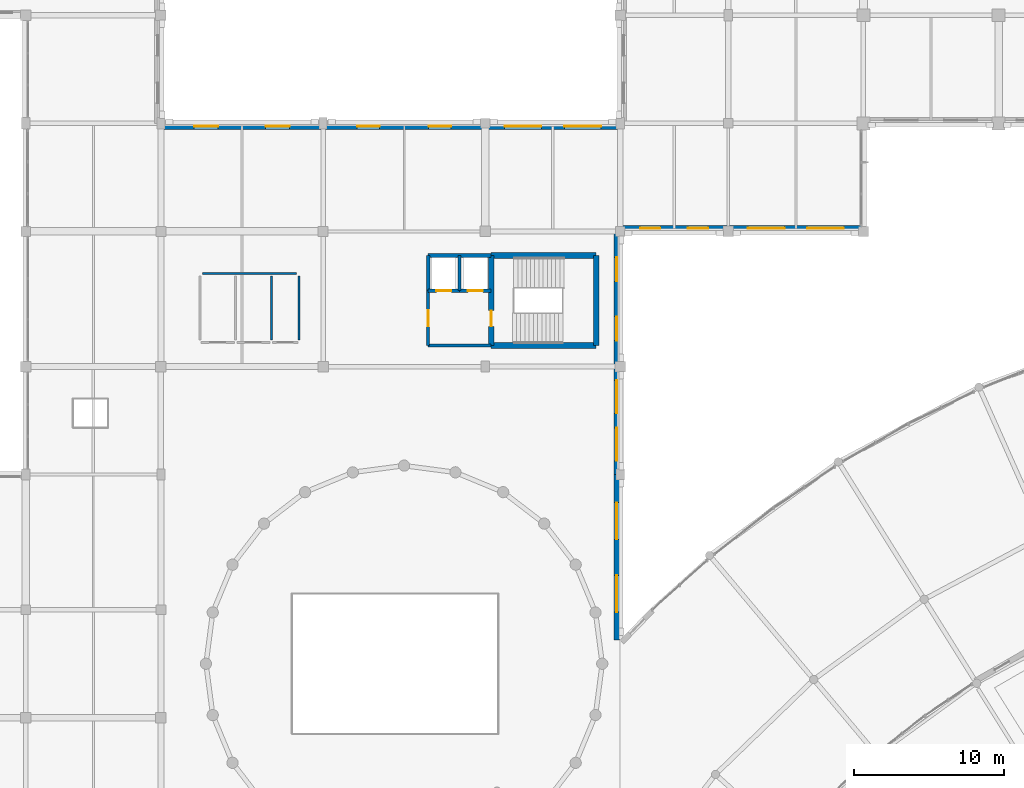
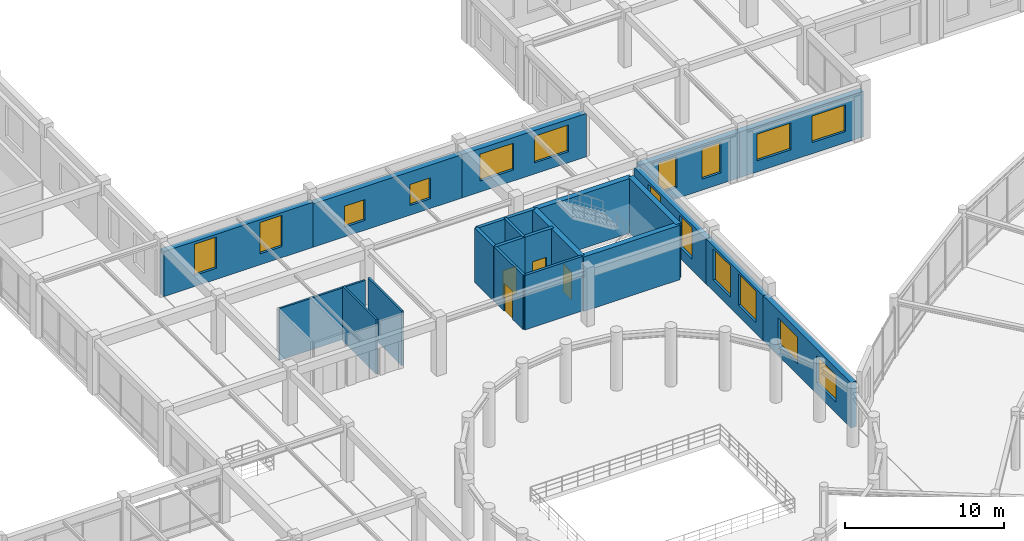
# One storey, part 44 of 62: 22 walls, 16 windows, 4 doors, 20 openings.
"""IFC4 building model written with IfcOpenShell, lengths in metres."""

import ifcopenshell
import ifcopenshell.guid

model = None  # the IFC model being written
_history = None  # IfcOwnerHistory: only IFC2X3 demands one
_inside = {}  # id of a spatial element -> (the spatial element, [elements in it])
_under = {}  # id of a project, library or spatial element -> (it, [spatial elements below it])
_declared = {}  # id of a project -> (the project, [libraries it declares])
_typed = {}  # id of a type object -> (the type object, [elements of that type])
_made_of = {}  # id of a material, layer set ... -> (it, [elements and type objects made of it])


def new_model(schema):
    """Start an empty IFC model of exactly this schema.

    Asked for "IFC4X3", IfcOpenShell would pick the latest addendum, in which some entities
    have other attributes; the version numbers below select the first issue.
    IFC2X3 requires an IfcOwnerHistory on every rooted entity: one is made here for all.
    """
    global model, _history
    if schema == "IFC4X3":
        model = ifcopenshell.file(schema_version=(4, 3, 0, 0))
    else:
        model = ifcopenshell.file(schema=schema)
    _inside.clear()
    _under.clear()
    _declared.clear()
    _typed.clear()
    _made_of.clear()
    _history = None
    if model.schema == "IFC2X3":
        org = make("IfcOrganization", Name="unknown")
        user = make(
            "IfcPersonAndOrganization",
            ThePerson=make("IfcPerson", FamilyName="unknown"),
            TheOrganization=org,
        )
        app = make(
            "IfcApplication",
            ApplicationDeveloper=org,
            Version="unknown",
            ApplicationFullName="unknown",
            ApplicationIdentifier="unknown",
        )
        _history = make(
            "IfcOwnerHistory",
            OwningUser=user,
            OwningApplication=app,
            ChangeAction="ADDED",
            CreationDate=0,
        )
    return model


def make(cls, **values):
    """One entity of the class cls with the attributes given. An attribute that is None is left unset."""
    return model.create_entity(
        cls, **{name: value for name, value in values.items() if value is not None}
    )


def rooted(cls, **values):
    """An entity with a GlobalId (a new one), such as an element, a storey or a relation."""
    return make(cls, GlobalId=ifcopenshell.guid.new(), OwnerHistory=_history, **values)


def si_unit(unit_type, name, prefix=None):
    """IfcSIUnit, for example si_unit("LENGTHUNIT", "METRE", prefix="MILLI")."""
    return make("IfcSIUnit", UnitType=unit_type, Prefix=prefix, Name=name)


def assignment(units):
    """IfcUnitAssignment: the units of a project."""
    return None if units is None else make("IfcUnitAssignment", Units=units)


def point(xyz):
    """IfcCartesianPoint."""
    return None if xyz is None else make("IfcCartesianPoint", Coordinates=xyz)


def direction(xyz):
    """IfcDirection."""
    return None if xyz is None else make("IfcDirection", DirectionRatios=xyz)


def frame(location, z_axis=None, x_axis=None):
    """IfcAxis2Placement3D, a coordinate frame: its origin and axes. An axis left out is left unset."""
    return make(
        "IfcAxis2Placement3D",
        Location=point(location),
        Axis=direction(z_axis),
        RefDirection=direction(x_axis),
    )


def frame_2d(location, x_axis=None):
    """IfcAxis2Placement2D, a coordinate frame in the plane: its origin and x axis."""
    return make(
        "IfcAxis2Placement2D", Location=point(location), RefDirection=direction(x_axis)
    )


def origin():
    """The frame at (0, 0, 0) with its axes left unset."""
    return frame((0.0, 0.0, 0.0))


def place(relative_to, where):
    """IfcLocalPlacement: puts the frame where relative to a parent placement (None: the world)."""
    return make(
        "IfcLocalPlacement", PlacementRelTo=relative_to, RelativePlacement=where
    )


def context(
    kind, dimensions, precision=None, world=None, true_north=None, identifier=None
):
    """IfcGeometricRepresentationContext, for example the 3D "Model" context."""
    return make(
        "IfcGeometricRepresentationContext",
        ContextIdentifier=identifier,
        ContextType=kind,
        CoordinateSpaceDimension=dimensions,
        Precision=precision,
        WorldCoordinateSystem=world,
        TrueNorth=true_north,
    )


def subcontext(parent, identifier, kind, view, scale=None):
    """IfcGeometricRepresentationSubContext, for example "Body" below "Model"."""
    return make(
        "IfcGeometricRepresentationSubContext",
        ContextIdentifier=identifier,
        ContextType=kind,
        ParentContext=parent,
        TargetScale=scale,
        TargetView=view,
    )


def project(units=None, contexts=None):
    """IfcProject with its units and contexts."""
    return rooted(
        "IfcProject",
        Name="project",
        RepresentationContexts=contexts,
        UnitsInContext=assignment(units),
    )


def spatial(cls, under=None, at=None, **own):
    """A site, building, storey or space (cls), placed at a placement, below another one or the project."""
    s = rooted(cls, ObjectPlacement=at, **own)
    if under is not None:
        _under.setdefault(under.id(), (under, []))[1].append(s)
    return s


def profile(cls, at=None, kind="AREA", **sizes):
    """A parametric profile (cls). Its sizes go by their IFC names, for example OverallWidth=200.0."""
    return make(cls, ProfileType=kind, Position=at, **sizes)


def rectangle(**sizes):
    """IfcRectangleProfileDef."""
    return profile("IfcRectangleProfileDef", **sizes)


def extrude(swept, where, along, depth):
    """IfcExtrudedAreaSolid: the profile swept, set in the frame where, extruded along a direction by depth."""
    return make(
        "IfcExtrudedAreaSolid",
        SweptArea=swept,
        Position=where,
        ExtrudedDirection=direction(along),
        Depth=depth,
    )


def shape(context_of_items, identifier, shape_type, items):
    """IfcShapeRepresentation: the items that make up one representation, for example the "Body"."""
    return make(
        "IfcShapeRepresentation",
        ContextOfItems=context_of_items,
        RepresentationIdentifier=identifier,
        RepresentationType=shape_type,
        Items=items,
    )


def material(Name=None, Category=None):
    """IfcMaterial."""
    return make("IfcMaterial", Name=Name, Category=Category)


def layer(
    of_material, thickness, ventilated=None, Name=None, Category=None, Priority=None
):
    """IfcMaterialLayer: one layer of a wall or slab, of a material (None: an air gap)."""
    return make(
        "IfcMaterialLayer",
        Material=of_material,
        LayerThickness=thickness,
        IsVentilated=ventilated,
        Name=Name,
        Category=Category,
        Priority=Priority,
    )


def layer_set(layers, Name=None):
    """IfcMaterialLayerSet."""
    return make("IfcMaterialLayerSet", MaterialLayers=layers, LayerSetName=Name)


def made_of(thing, what):
    """Note that an element or type object is made of a material, layer set ...; save() writes the relation."""
    if what is not None:
        _made_of.setdefault(what.id(), (what, []))[1].append(thing)
    return thing


def type_object(cls, material=None, **own):
    """A type object (cls), such as IfcWallType, which elements share."""
    return made_of(rooted(cls, **own), material)


def element(
    cls,
    number,
    at=None,
    inside=None,
    cuts=None,
    type_object=None,
    material=None,
    context=None,
    identifier="Body",
    shape_type=None,
    held_by="IfcProductDefinitionShape",
    body=None,
    shapes=None,
    **own,
):
    """One element of the class cls, such as IfcWall. Its Tag is "e" and its number.

    at: its placement. inside: the storey or other place that contains it. cuts: it is an
    opening in that element (IfcRelVoidsElement). A single representation is given by context,
    identifier, shape_type and body (its items); several are given by shapes. held_by: the class
    of the entity that holds the representations. save() writes the other relations.
    """
    e = rooted(cls, Tag="e%d" % number, ObjectPlacement=at, **own)
    if body is not None:
        shapes = [shape(context, identifier, shape_type, body)]
    if shapes is not None:
        e.Representation = make(held_by, Representations=shapes)
    if inside is not None:
        _inside.setdefault(inside.id(), (inside, []))[1].append(e)
    if cuts is not None:
        rooted(
            "IfcRelVoidsElement", RelatingBuildingElement=cuts, RelatedOpeningElement=e
        )
    if type_object is not None:
        _typed.setdefault(type_object.id(), (type_object, []))[1].append(e)
    return made_of(e, material)


def fill(opening, filler):
    """IfcRelFillsElement: the door or window that sits in an opening."""
    return rooted(
        "IfcRelFillsElement",
        RelatingOpeningElement=opening,
        RelatedBuildingElement=filler,
    )


def aggregate(whole, parts):
    """IfcRelAggregates: a whole, such as a stair, and the parts it consists of."""
    return rooted("IfcRelAggregates", RelatingObject=whole, RelatedObjects=parts)


def save(model, path):
    """Write the relations noted so far, then the file.

    IfcRelAggregates (storeys below a building ...), IfcRelContainedInSpatialStructure (elements
    in a storey), IfcRelDefinesByType, IfcRelAssociatesMaterial and IfcRelDeclares: one each for
    every whole, place, type object, material and project.
    """
    for whole, parts in _under.values():
        aggregate(whole, parts)
    for where, things in _inside.values():
        rooted(
            "IfcRelContainedInSpatialStructure",
            RelatedElements=things,
            RelatingStructure=where,
        )
    for kind, things in _typed.values():
        rooted("IfcRelDefinesByType", RelatedObjects=things, RelatingType=kind)
    for what, things in _made_of.values():
        rooted("IfcRelAssociatesMaterial", RelatedObjects=things, RelatingMaterial=what)
    for by, libraries in _declared.values():
        rooted("IfcRelDeclares", RelatingContext=by, RelatedDefinitions=libraries)
    model.write(path)


model = new_model("IFC4")

# Units and contexts
model_context = context("Model", 3, precision=1e-05, world=origin(), true_north=direction((0.0, 1.0)))
body_context = subcontext(model_context, "Body", "Model", "MODEL_VIEW")
ifc_project = project(units=[si_unit("LENGTHUNIT", "METRE"), si_unit("AREAUNIT", "SQUARE_METRE"), si_unit("VOLUMEUNIT", "CUBIC_METRE"), si_unit("PLANEANGLEUNIT", "RADIAN"), si_unit("MASSUNIT", "GRAM", prefix="KILO")], contexts=[model_context])

# Site, building, storey
site_placement = place(None, origin())
site = spatial("IfcSite", under=ifc_project, at=site_placement, CompositionType="ELEMENT")
building_placement = place(site_placement, origin())
building = spatial("IfcBuilding", under=site, at=building_placement, Name="Clarverna Civic Hall", CompositionType="ELEMENT")
storey_placement = place(building_placement, frame((0.0, 0.0, 5.10009765625)))
storey = spatial("IfcBuildingStorey", under=building, at=storey_placement, Name="L01", CompositionType="ELEMENT", Elevation=5.10009765625)

# Wall, openings, windows
ifc_material_1 = material(Name="Montjuic Limestone Ashlar Cladding", Category="masonry")
ifc_layer_1 = layer(ifc_material_1, 0.39990234375)
ifc_layer_set_1 = layer_set([ifc_layer_1], Name="Montjuic Limestone Ashlar Cladding")
wall_type_1 = type_object("IfcWallType", Name="EW-02", PredefinedType="SOLIDWALL", material=ifc_layer_set_1)
wall_1_placement = place(storey_placement, frame((66.574951171875, 94.800048828125, 0.0), z_axis=(0.0, 0.0, 1.0), x_axis=(1.0, 0.0, 0.0)))
wall_1 = element("IfcWall", 1, at=wall_1_placement, inside=storey, type_object=wall_type_1, Name="EW-02-027", PredefinedType="SOLIDWALL", context=body_context, shape_type="SweptSolid", body=[
    extrude(rectangle(XDim=10.824951171875, YDim=0.39990234375, at=frame_2d((5.41259765625, 0.0))), origin(), (0.0, 0.0, 1.0), 3.4599609375),
])
opening_1_placement = place(wall_1_placement, frame((2.23095703125, 0.0, 0.85009765625)))
opening_1 = element("IfcOpeningElement", 2, at=opening_1_placement, cuts=wall_1, Name="Opening WN-03", PredefinedType="OPENING", context=body_context, shape_type="SweptSolid", body=[
    extrude(rectangle(XDim=1.60009765625, YDim=2.39990234375, at=frame_2d((0.800048828125, 1.199951171875))), frame((0.0, 0.2099609375, 0.0), z_axis=(0.0, -1.0, 0.0), x_axis=(1.0, 0.0, 0.0)), (0.0, 0.0, 1.0), 0.419921875),
])
opening_2_placement = place(wall_1_placement, frame((6.993896484375, 0.0, 0.85009765625)))
opening_2 = element("IfcOpeningElement", 3, at=opening_2_placement, cuts=wall_1, Name="Opening WN-03", PredefinedType="OPENING", context=body_context, shape_type="SweptSolid", body=[
    extrude(rectangle(XDim=1.60009765625, YDim=2.39990234375, at=frame_2d((0.800048828125, 1.199951171875))), frame((0.0, 0.2099609375, 0.0), z_axis=(0.0, -1.0, 0.0), x_axis=(1.0, 0.0, 0.0)), (0.0, 0.0, 1.0), 0.419921875),
])
ifc_material_2 = material(Name="Solar-Control Argon Low-E Double Glazing", Category="glass")
window_type_1 = type_object("IfcWindowType", Name="WN-03", PartitioningType="DOUBLE_PANEL_VERTICAL", PredefinedType="WINDOW", material=ifc_material_2)
window_1_placement = place(opening_1_placement, origin())
window_1 = element("IfcWindow", 4, at=window_1_placement, inside=storey, type_object=window_type_1, Name="WN-03-008", OverallHeight=2.39990234375, OverallWidth=1.60009765625, PartitioningType="DOUBLE_PANEL_VERTICAL", PredefinedType="WINDOW", context=body_context, shape_type="SweptSolid", body=[
    extrude(rectangle(XDim=1.60009765625, YDim=2.39990234375, at=frame_2d((0.800048828125, 1.199951171875))), frame((0.0, 0.030029296875, 0.0), z_axis=(0.0, -1.0, 0.0), x_axis=(1.0, 0.0, 0.0)), (0.0, 0.0, 1.0), 0.06005859375),
])
fill(opening_1, window_1)
window_2_placement = place(opening_2_placement, origin())
window_2 = element("IfcWindow", 5, at=window_2_placement, inside=storey, type_object=window_type_1, Name="WN-03-009", OverallHeight=2.39990234375, OverallWidth=1.60009765625, PartitioningType="DOUBLE_PANEL_VERTICAL", PredefinedType="WINDOW", context=body_context, shape_type="SweptSolid", body=[
    extrude(rectangle(XDim=1.60009765625, YDim=2.39990234375, at=frame_2d((0.800048828125, 1.199951171875))), frame((0.0, 0.030029296875, 0.0), z_axis=(0.0, -1.0, 0.0), x_axis=(1.0, 0.0, 0.0)), (0.0, 0.0, 1.0), 0.06005859375),
])
fill(opening_2, window_2)

wall_2_placement = place(storey_placement, frame((77.39990234375, 94.800048828125, 0.0), z_axis=(0.0, 0.0, 1.0), x_axis=(1.0, 0.0, 0.0)))
wall_2 = element("IfcWall", 6, at=wall_2_placement, inside=storey, type_object=wall_type_1, Name="EW-02-028", PredefinedType="SOLIDWALL", context=body_context, shape_type="SweptSolid", body=[
    extrude(rectangle(XDim=10.800048828125, YDim=0.39990234375, at=frame_2d((5.39990234375, 0.0))), origin(), (0.0, 0.0, 1.0), 3.329833984375),
])
opening_3_placement = place(wall_2_placement, frame((2.27392578125, 0.0, 0.75)))
opening_3 = element("IfcOpeningElement", 7, at=opening_3_placement, cuts=wall_2, Name="Opening WN-14", PredefinedType="OPENING", context=body_context, shape_type="SweptSolid", body=[
    extrude(rectangle(XDim=1.5, YDim=1.60009765625, at=frame_2d((0.75, 0.800048828125))), frame((0.0, 0.2099609375, 0.0), z_axis=(0.0, -1.0, 0.0), x_axis=(1.0, 0.0, 0.0)), (0.0, 0.0, 1.0), 0.419921875),
])
opening_4_placement = place(wall_2_placement, frame((7.02587890625, 0.0, 0.75)))
opening_4 = element("IfcOpeningElement", 8, at=opening_4_placement, cuts=wall_2, Name="Opening WN-14", PredefinedType="OPENING", context=body_context, shape_type="SweptSolid", body=[
    extrude(rectangle(XDim=1.5, YDim=1.60009765625, at=frame_2d((0.75, 0.800048828125))), frame((0.0, 0.2099609375, 0.0), z_axis=(0.0, -1.0, 0.0), x_axis=(1.0, 0.0, 0.0)), (0.0, 0.0, 1.0), 0.419921875),
])
window_type_2 = type_object("IfcWindowType", Name="WN-14", PartitioningType="DOUBLE_PANEL_HORIZONTAL", PredefinedType="WINDOW", material=ifc_material_2)
window_3_placement = place(opening_3_placement, origin())
window_3 = element("IfcWindow", 9, at=window_3_placement, inside=storey, type_object=window_type_2, Name="WN-14-008", OverallHeight=1.60009765625, OverallWidth=1.5, PartitioningType="DOUBLE_PANEL_HORIZONTAL", PredefinedType="WINDOW", context=body_context, shape_type="SweptSolid", body=[
    extrude(rectangle(XDim=1.5, YDim=1.60009765625, at=frame_2d((0.75, 0.800048828125))), frame((0.0, 0.030029296875, 0.0), z_axis=(0.0, -1.0, 0.0), x_axis=(1.0, 0.0, 0.0)), (0.0, 0.0, 1.0), 0.06005859375),
])
fill(opening_3, window_3)
window_4_placement = place(opening_4_placement, origin())
window_4 = element("IfcWindow", 10, at=window_4_placement, inside=storey, type_object=window_type_2, Name="WN-14-009", OverallHeight=1.60009765625, OverallWidth=1.5, PartitioningType="DOUBLE_PANEL_HORIZONTAL", PredefinedType="WINDOW", context=body_context, shape_type="SweptSolid", body=[
    extrude(rectangle(XDim=1.5, YDim=1.60009765625, at=frame_2d((0.75, 0.800048828125))), frame((0.0, 0.030029296875, 0.0), z_axis=(0.0, -1.0, 0.0), x_axis=(1.0, 0.0, 0.0)), (0.0, 0.0, 1.0), 0.06005859375),
])
fill(opening_4, window_4)

wall_3_placement = place(storey_placement, frame((88.199951171875, 94.800048828125, 0.0), z_axis=(0.0, 0.0, 1.0), x_axis=(1.0, 0.0, 0.0)))
wall_3 = element("IfcWall", 11, at=wall_3_placement, inside=storey, type_object=wall_type_1, Name="EW-02-029", PredefinedType="SOLIDWALL", context=body_context, shape_type="SweptSolid", body=[
    extrude(rectangle(XDim=9.025146484375, YDim=0.39990234375, at=frame_2d((4.5126953125, 0.0))), origin(), (0.0, 0.0, 1.0), 3.329833984375),
])
opening_5_placement = place(wall_3_placement, frame((1.302001953125, 0.0, 0.85009765625)))
opening_5 = element("IfcOpeningElement", 12, at=opening_5_placement, cuts=wall_3, Name="Opening WN-24", PredefinedType="OPENING", context=body_context, shape_type="SweptSolid", body=[
    extrude(rectangle(XDim=2.449951171875, YDim=2.050048828125, at=frame_2d((1.22509765625, 1.02490234375))), frame((0.0, 0.2099609375, 0.0), z_axis=(0.0, -1.0, 0.0), x_axis=(1.0, 0.0, 0.0)), (0.0, 0.0, 1.0), 0.419921875),
])
opening_6_placement = place(wall_3_placement, frame((5.27294921875, 0.0, 0.85009765625)))
opening_6 = element("IfcOpeningElement", 13, at=opening_6_placement, cuts=wall_3, Name="Opening WN-24", PredefinedType="OPENING", context=body_context, shape_type="SweptSolid", body=[
    extrude(rectangle(XDim=2.449951171875, YDim=2.050048828125, at=frame_2d((1.22509765625, 1.02490234375))), frame((0.0, 0.2099609375, 0.0), z_axis=(0.0, -1.0, 0.0), x_axis=(1.0, 0.0, 0.0)), (0.0, 0.0, 1.0), 0.419921875),
])
window_type_3 = type_object("IfcWindowType", Name="WN-24", PartitioningType="TRIPLE_PANEL_VERTICAL", PredefinedType="WINDOW", material=ifc_material_2)
window_5_placement = place(opening_5_placement, origin())
window_5 = element("IfcWindow", 14, at=window_5_placement, inside=storey, type_object=window_type_3, Name="WN-24-012", OverallHeight=2.050048828125, OverallWidth=2.449951171875, PartitioningType="TRIPLE_PANEL_VERTICAL", PredefinedType="WINDOW", context=body_context, shape_type="SweptSolid", body=[
    extrude(rectangle(XDim=2.449951171875, YDim=2.050048828125, at=frame_2d((1.22509765625, 1.02490234375))), frame((0.0, 0.030029296875, 0.0), z_axis=(0.0, -1.0, 0.0), x_axis=(1.0, 0.0, 0.0)), (0.0, 0.0, 1.0), 0.06005859375),
])
fill(opening_5, window_5)
window_6_placement = place(opening_6_placement, origin())
window_6 = element("IfcWindow", 15, at=window_6_placement, inside=storey, type_object=window_type_3, Name="WN-24-013", OverallHeight=2.050048828125, OverallWidth=2.449951171875, PartitioningType="TRIPLE_PANEL_VERTICAL", PredefinedType="WINDOW", context=body_context, shape_type="SweptSolid", body=[
    extrude(rectangle(XDim=2.449951171875, YDim=2.050048828125, at=frame_2d((1.22509765625, 1.02490234375))), frame((0.0, 0.030029296875, 0.0), z_axis=(0.0, -1.0, 0.0), x_axis=(1.0, 0.0, 0.0)), (0.0, 0.0, 1.0), 0.06005859375),
])
fill(opening_6, window_6)

wall_4_placement = place(storey_placement, frame((113.39990234375, 88.0, 0.0), z_axis=(0.0, 0.0, 1.0), x_axis=(-1.0, 0.0, 0.0)))
wall_4 = element("IfcWall", 16, at=wall_4_placement, inside=storey, type_object=wall_type_1, Name="EW-02-049", PredefinedType="SOLIDWALL", context=body_context, shape_type="SweptSolid", body=[
    extrude(rectangle(XDim=9.0, YDim=0.39990234375, at=frame_2d((4.5, 0.0))), origin(), (0.0, 0.0, 1.0), 3.5),
])
opening_7_placement = place(wall_4_placement, frame((1.294921875, 0.0, 0.85009765625)))
opening_7 = element("IfcOpeningElement", 17, at=opening_7_placement, cuts=wall_4, Name="Opening WN-24", PredefinedType="OPENING", context=body_context, shape_type="SweptSolid", body=[
    extrude(rectangle(XDim=2.449951171875, YDim=2.050048828125, at=frame_2d((1.22509765625, 1.02490234375))), frame((0.0, 0.2099609375, 0.0), z_axis=(0.0, -1.0, 0.0), x_axis=(1.0, 0.0, 0.0)), (0.0, 0.0, 1.0), 0.419921875),
])
opening_8_placement = place(wall_4_placement, frame((5.2548828125, 0.0, 0.85009765625)))
opening_8 = element("IfcOpeningElement", 18, at=opening_8_placement, cuts=wall_4, Name="Opening WN-24", PredefinedType="OPENING", context=body_context, shape_type="SweptSolid", body=[
    extrude(rectangle(XDim=2.449951171875, YDim=2.050048828125, at=frame_2d((1.22509765625, 1.02490234375))), frame((0.0, 0.2099609375, 0.0), z_axis=(0.0, -1.0, 0.0), x_axis=(1.0, 0.0, 0.0)), (0.0, 0.0, 1.0), 0.419921875),
])
window_7_placement = place(opening_7_placement, origin())
window_7 = element("IfcWindow", 19, at=window_7_placement, inside=storey, type_object=window_type_3, Name="WN-24-019", OverallHeight=2.050048828125, OverallWidth=2.449951171875, PartitioningType="TRIPLE_PANEL_VERTICAL", PredefinedType="WINDOW", context=body_context, shape_type="SweptSolid", body=[
    extrude(rectangle(XDim=2.449951171875, YDim=2.050048828125, at=frame_2d((1.22509765625, 1.02490234375))), frame((0.0, 0.030029296875, 0.0), z_axis=(0.0, -1.0, 0.0), x_axis=(1.0, 0.0, 0.0)), (0.0, 0.0, 1.0), 0.06005859375),
])
fill(opening_7, window_7)
window_8_placement = place(opening_8_placement, origin())
window_8 = element("IfcWindow", 20, at=window_8_placement, inside=storey, type_object=window_type_3, Name="WN-24-020", OverallHeight=2.050048828125, OverallWidth=2.449951171875, PartitioningType="TRIPLE_PANEL_VERTICAL", PredefinedType="WINDOW", context=body_context, shape_type="SweptSolid", body=[
    extrude(rectangle(XDim=2.449951171875, YDim=2.050048828125, at=frame_2d((1.22509765625, 1.02490234375))), frame((0.0, 0.030029296875, 0.0), z_axis=(0.0, -1.0, 0.0), x_axis=(1.0, 0.0, 0.0)), (0.0, 0.0, 1.0), 0.06005859375),
])
fill(opening_8, window_8)

wall_5_placement = place(storey_placement, frame((104.39990234375, 88.0, 0.0), z_axis=(0.0, 0.0, 1.0), x_axis=(-1.0, 0.0, 0.0)))
wall_5 = element("IfcWall", 21, at=wall_5_placement, inside=storey, type_object=wall_type_1, Name="EW-02-050", PredefinedType="SOLIDWALL", context=body_context, shape_type="SweptSolid", body=[
    extrude(rectangle(XDim=7.224853515625, YDim=0.39990234375, at=frame_2d((3.6123046875, 0.0))), origin(), (0.0, 0.0, 1.0), 3.5),
])
opening_9_placement = place(wall_5_placement, frame((1.347900390625, 0.0, 0.85009765625)))
opening_9 = element("IfcOpeningElement", 22, at=opening_9_placement, cuts=wall_5, Name="Opening WN-29", PredefinedType="OPENING", context=body_context, shape_type="SweptSolid", body=[
    extrude(rectangle(XDim=1.35009765625, YDim=2.35009765625, at=frame_2d((0.675048828125, 1.175048828125))), frame((0.0, 0.2099609375, 0.0), z_axis=(0.0, -1.0, 0.0), x_axis=(1.0, 0.0, 0.0)), (0.0, 0.0, 1.0), 0.419921875),
])
opening_10_placement = place(wall_5_placement, frame((4.527099609375, 0.0, 0.85009765625)))
opening_10 = element("IfcOpeningElement", 23, at=opening_10_placement, cuts=wall_5, Name="Opening WN-29", PredefinedType="OPENING", context=body_context, shape_type="SweptSolid", body=[
    extrude(rectangle(XDim=1.35009765625, YDim=2.35009765625, at=frame_2d((0.675048828125, 1.175048828125))), frame((0.0, 0.2099609375, 0.0), z_axis=(0.0, -1.0, 0.0), x_axis=(1.0, 0.0, 0.0)), (0.0, 0.0, 1.0), 0.419921875),
])
window_type_4 = type_object("IfcWindowType", Name="WN-29", PartitioningType="SINGLE_PANEL", PredefinedType="WINDOW", material=ifc_material_2)
window_9_placement = place(opening_9_placement, origin())
window_9 = element("IfcWindow", 24, at=window_9_placement, inside=storey, type_object=window_type_4, Name="WN-29-021", OverallHeight=2.35009765625, OverallWidth=1.35009765625, PartitioningType="SINGLE_PANEL", PredefinedType="WINDOW", context=body_context, shape_type="SweptSolid", body=[
    extrude(rectangle(XDim=1.35009765625, YDim=2.35009765625, at=frame_2d((0.675048828125, 1.175048828125))), frame((0.0, 0.030029296875, 0.0), z_axis=(0.0, -1.0, 0.0), x_axis=(1.0, 0.0, 0.0)), (0.0, 0.0, 1.0), 0.06005859375),
])
fill(opening_9, window_9)
window_10_placement = place(opening_10_placement, origin())
window_10 = element("IfcWindow", 25, at=window_10_placement, inside=storey, type_object=window_type_4, Name="WN-29-022", OverallHeight=2.35009765625, OverallWidth=1.35009765625, PartitioningType="SINGLE_PANEL", PredefinedType="WINDOW", context=body_context, shape_type="SweptSolid", body=[
    extrude(rectangle(XDim=1.35009765625, YDim=2.35009765625, at=frame_2d((0.675048828125, 1.175048828125))), frame((0.0, 0.030029296875, 0.0), z_axis=(0.0, -1.0, 0.0), x_axis=(1.0, 0.0, 0.0)), (0.0, 0.0, 1.0), 0.06005859375),
])
fill(opening_10, window_10)

wall_6_placement = place(storey_placement, frame((96.97509765625, 87.800048828125, 0.0), z_axis=(0.0, 0.0, 1.0), x_axis=(0.0, -1.0, 0.0)))
wall_6 = element("IfcWall", 26, at=wall_6_placement, inside=storey, type_object=wall_type_1, Name="EW-02-051", PredefinedType="SOLIDWALL", context=body_context, shape_type="SweptSolid", body=[
    extrude(rectangle(XDim=9.0, YDim=0.39990234375, at=frame_2d((4.5, 0.0))), origin(), (0.0, 0.0, 1.0), 3.4599609375),
])
opening_11_placement = place(wall_6_placement, frame((1.719970703125, 0.0, 0.85009765625)))
opening_11 = element("IfcOpeningElement", 27, at=opening_11_placement, cuts=wall_6, Name="Opening WN-03", PredefinedType="OPENING", context=body_context, shape_type="SweptSolid", body=[
    extrude(rectangle(XDim=1.60009765625, YDim=2.39990234375, at=frame_2d((0.800048828125, 1.199951171875))), frame((0.0, 0.2099609375, 0.0), z_axis=(0.0, -1.0, 0.0), x_axis=(1.0, 0.0, 0.0)), (0.0, 0.0, 1.0), 0.419921875),
])
opening_12_placement = place(wall_6_placement, frame((5.679931640625, 0.0, 0.85009765625)))
opening_12 = element("IfcOpeningElement", 28, at=opening_12_placement, cuts=wall_6, Name="Opening WN-03", PredefinedType="OPENING", context=body_context, shape_type="SweptSolid", body=[
    extrude(rectangle(XDim=1.60009765625, YDim=2.39990234375, at=frame_2d((0.800048828125, 1.199951171875))), frame((0.0, 0.2099609375, 0.0), z_axis=(0.0, -1.0, 0.0), x_axis=(1.0, 0.0, 0.0)), (0.0, 0.0, 1.0), 0.419921875),
])
window_11_placement = place(opening_11_placement, origin())
window_11 = element("IfcWindow", 29, at=window_11_placement, inside=storey, type_object=window_type_1, Name="WN-03-017", OverallHeight=2.39990234375, OverallWidth=1.60009765625, PartitioningType="DOUBLE_PANEL_VERTICAL", PredefinedType="WINDOW", context=body_context, shape_type="SweptSolid", body=[
    extrude(rectangle(XDim=1.60009765625, YDim=2.39990234375, at=frame_2d((0.800048828125, 1.199951171875))), frame((0.0, 0.030029296875, 0.0), z_axis=(0.0, -1.0, 0.0), x_axis=(1.0, 0.0, 0.0)), (0.0, 0.0, 1.0), 0.06005859375),
])
fill(opening_11, window_11)
window_12_placement = place(opening_12_placement, origin())
window_12 = element("IfcWindow", 30, at=window_12_placement, inside=storey, type_object=window_type_1, Name="WN-03-018", OverallHeight=2.39990234375, OverallWidth=1.60009765625, PartitioningType="DOUBLE_PANEL_VERTICAL", PredefinedType="WINDOW", context=body_context, shape_type="SweptSolid", body=[
    extrude(rectangle(XDim=1.60009765625, YDim=2.39990234375, at=frame_2d((0.800048828125, 1.199951171875))), frame((0.0, 0.030029296875, 0.0), z_axis=(0.0, -1.0, 0.0), x_axis=(1.0, 0.0, 0.0)), (0.0, 0.0, 1.0), 0.06005859375),
])
fill(opening_12, window_12)

wall_7_placement = place(storey_placement, frame((96.97509765625, 78.800048828125, 0.0), z_axis=(0.0, 0.0, 1.0), x_axis=(0.0, -1.0, 0.0)))
wall_7 = element("IfcWall", 31, at=wall_7_placement, inside=storey, type_object=wall_type_1, Name="EW-02-052", PredefinedType="SOLIDWALL", context=body_context, shape_type="SweptSolid", body=[
    extrude(rectangle(XDim=7.199951171875, YDim=0.39990234375, at=frame_2d((3.60009765625, 0.0))), origin(), (0.0, 0.0, 1.0), 3.4599609375),
])
opening_13_placement = place(wall_7_placement, frame((0.916015625, 0.0, 0.85009765625)))
opening_13 = element("IfcOpeningElement", 32, at=opening_13_placement, cuts=wall_7, Name="Opening WN-04", PredefinedType="OPENING", context=body_context, shape_type="SweptSolid", body=[
    extrude(rectangle(XDim=2.199951171875, YDim=2.39990234375, at=frame_2d((1.10009765625, 1.199951171875))), frame((0.0, 0.2099609375, 0.0), z_axis=(0.0, -1.0, 0.0), x_axis=(1.0, 0.0, 0.0)), (0.0, 0.0, 1.0), 0.419921875),
])
opening_14_placement = place(wall_7_placement, frame((4.083984375, 0.0, 0.85009765625)))
opening_14 = element("IfcOpeningElement", 33, at=opening_14_placement, cuts=wall_7, Name="Opening WN-04", PredefinedType="OPENING", context=body_context, shape_type="SweptSolid", body=[
    extrude(rectangle(XDim=2.199951171875, YDim=2.39990234375, at=frame_2d((1.10009765625, 1.199951171875))), frame((0.0, 0.2099609375, 0.0), z_axis=(0.0, -1.0, 0.0), x_axis=(1.0, 0.0, 0.0)), (0.0, 0.0, 1.0), 0.419921875),
])
window_type_5 = type_object("IfcWindowType", Name="WN-04", PartitioningType="DOUBLE_PANEL_VERTICAL", PredefinedType="WINDOW", material=ifc_material_2)
window_13_placement = place(opening_13_placement, origin())
window_13 = element("IfcWindow", 34, at=window_13_placement, inside=storey, type_object=window_type_5, Name="WN-04-013", OverallHeight=2.39990234375, OverallWidth=2.199951171875, PartitioningType="DOUBLE_PANEL_VERTICAL", PredefinedType="WINDOW", context=body_context, shape_type="SweptSolid", body=[
    extrude(rectangle(XDim=2.199951171875, YDim=2.39990234375, at=frame_2d((1.10009765625, 1.199951171875))), frame((0.0, 0.030029296875, 0.0), z_axis=(0.0, -1.0, 0.0), x_axis=(1.0, 0.0, 0.0)), (0.0, 0.0, 1.0), 0.06005859375),
])
fill(opening_13, window_13)
window_14_placement = place(opening_14_placement, origin())
window_14 = element("IfcWindow", 35, at=window_14_placement, inside=storey, type_object=window_type_5, Name="WN-04-014", OverallHeight=2.39990234375, OverallWidth=2.199951171875, PartitioningType="DOUBLE_PANEL_VERTICAL", PredefinedType="WINDOW", context=body_context, shape_type="SweptSolid", body=[
    extrude(rectangle(XDim=2.199951171875, YDim=2.39990234375, at=frame_2d((1.10009765625, 1.199951171875))), frame((0.0, 0.030029296875, 0.0), z_axis=(0.0, -1.0, 0.0), x_axis=(1.0, 0.0, 0.0)), (0.0, 0.0, 1.0), 0.06005859375),
])
fill(opening_14, window_14)

wall_8_placement = place(storey_placement, frame((96.97509765625, 71.60009765625, 0.0), z_axis=(0.0, 0.0, 1.0), x_axis=(0.0, -1.0, 0.0)))
wall_8 = element("IfcWall", 36, at=wall_8_placement, inside=storey, type_object=wall_type_1, Name="EW-02-053", PredefinedType="SOLIDWALL", context=body_context, shape_type="SweptSolid", body=[
    extrude(rectangle(XDim=11.033447265625, YDim=0.39990234375, at=frame_2d((5.5166015625, 0.0))), origin(), (0.0, 0.0, 1.0), 3.4599609375),
])
opening_15_placement = place(wall_8_placement, frame((1.8642578125, 0.0, 0.85009765625)))
opening_15 = element("IfcOpeningElement", 37, at=opening_15_placement, cuts=wall_8, Name="Opening WN-24", PredefinedType="OPENING", context=body_context, shape_type="SweptSolid", body=[
    extrude(rectangle(XDim=2.449951171875, YDim=2.050048828125, at=frame_2d((1.22509765625, 1.02490234375))), frame((0.0, 0.2099609375, 0.0), z_axis=(0.0, -1.0, 0.0), x_axis=(1.0, 0.0, 0.0)), (0.0, 0.0, 1.0), 0.419921875),
])
opening_16_placement = place(wall_8_placement, frame((6.718994140625, 0.0, 0.85009765625)))
opening_16 = element("IfcOpeningElement", 38, at=opening_16_placement, cuts=wall_8, Name="Opening WN-24", PredefinedType="OPENING", context=body_context, shape_type="SweptSolid", body=[
    extrude(rectangle(XDim=2.449951171875, YDim=2.050048828125, at=frame_2d((1.22509765625, 1.02490234375))), frame((0.0, 0.2099609375, 0.0), z_axis=(0.0, -1.0, 0.0), x_axis=(1.0, 0.0, 0.0)), (0.0, 0.0, 1.0), 0.419921875),
])
window_15_placement = place(opening_15_placement, origin())
window_15 = element("IfcWindow", 39, at=window_15_placement, inside=storey, type_object=window_type_3, Name="WN-24-021", OverallHeight=2.050048828125, OverallWidth=2.449951171875, PartitioningType="TRIPLE_PANEL_VERTICAL", PredefinedType="WINDOW", context=body_context, shape_type="SweptSolid", body=[
    extrude(rectangle(XDim=2.449951171875, YDim=2.050048828125, at=frame_2d((1.22509765625, 1.02490234375))), frame((0.0, 0.030029296875, 0.0), z_axis=(0.0, -1.0, 0.0), x_axis=(1.0, 0.0, 0.0)), (0.0, 0.0, 1.0), 0.06005859375),
])
fill(opening_15, window_15)
window_16_placement = place(opening_16_placement, origin())
window_16 = element("IfcWindow", 40, at=window_16_placement, inside=storey, type_object=window_type_3, Name="WN-24-022", OverallHeight=2.050048828125, OverallWidth=2.449951171875, PartitioningType="TRIPLE_PANEL_VERTICAL", PredefinedType="WINDOW", context=body_context, shape_type="SweptSolid", body=[
    extrude(rectangle(XDim=2.449951171875, YDim=2.050048828125, at=frame_2d((1.22509765625, 1.02490234375))), frame((0.0, 0.030029296875, 0.0), z_axis=(0.0, -1.0, 0.0), x_axis=(1.0, 0.0, 0.0)), (0.0, 0.0, 1.0), 0.06005859375),
])
fill(opening_16, window_16)

# Walls
ifc_material_3 = material(Name="Ceramic Brick and Plaster Wet-Room Partition", Category="masonry")
ifc_layer_2 = layer(ifc_material_3, 0.139892578125)
ifc_layer_set_2 = layer_set([ifc_layer_2], Name="Ceramic Brick and Plaster Wet-Room Partition")
wall_type_2 = type_object("IfcWallType", Name="PW-02", PredefinedType="PARTITIONING", material=ifc_layer_set_2)
wall_9_placement = place(storey_placement, frame((69.3798828125, 85.0, 0.0), z_axis=(0.0, 0.0, 1.0), x_axis=(1.0, 0.0, 0.0)))
element("IfcWall", 41, at=wall_9_placement, inside=storey, type_object=wall_type_2, Name="PW-02-081", PredefinedType="PARTITIONING", context=body_context, shape_type="SweptSolid", body=[
    extrude(rectangle(XDim=6.240234375, YDim=0.139892578125, at=frame_2d((3.1201171875, 0.0))), origin(), (0.0, 0.0, 1.0), 3.9599609375),
])
for number, where, z_axis, x_axis, name in (
    (42, (75.800048828125, 80.580078125, 0.0), (0.0, 0.0, 1.0), (0.0, 1.0, 0.0), "PW-02-083"),
    (43, (73.951904296875, 80.580078125, 0.0), (0.0, 0.0, 1.0), (0.0, 1.0, 0.0), "PW-02-085"),
):
    element("IfcWall", number, at=place(storey_placement, frame(where, z_axis=z_axis, x_axis=x_axis)), inside=storey, type_object=wall_type_2, Name=name, PredefinedType="PARTITIONING", context=body_context, shape_type="SweptSolid", body=[
        extrude(rectangle(XDim=4.239990234375, YDim=0.139892578125, at=frame_2d((2.1201171875, 0.0))), origin(), (0.0, 0.0, 1.0), 4.179931640625),
    ])

# Wall, opening, door
ifc_material_4 = material(Name="Acoustic Gypsum Plasterboard on Twin Frame", Category="gypsum")
ifc_layer_3 = layer(ifc_material_4, 0.18994140625)
ifc_layer_set_3 = layer_set([ifc_layer_3], Name="Acoustic Gypsum Plasterboard on Twin Frame")
wall_type_3 = type_object("IfcWallType", Name="PW-06", PredefinedType="PARTITIONING", material=ifc_layer_set_3)
wall_10_placement = place(storey_placement, frame((84.39990234375, 80.199951171875, 0.0), z_axis=(0.0, 0.0, 1.0), x_axis=(0.0, 1.0, 0.0)))
wall_10 = element("IfcWall", 44, at=wall_10_placement, inside=storey, type_object=wall_type_3, Name="PW-06-041", PredefinedType="PARTITIONING", context=body_context, shape_type="SweptSolid", body=[
    extrude(rectangle(XDim=3.650146484375, YDim=0.18994140625, at=frame_2d((1.8251953125, 0.0))), origin(), (0.0, 0.0, 1.0), 4.179931640625),
])
opening_17_placement = place(wall_10_placement, frame((1.300048828125, 0.0, 0.0)))
opening_17 = element("IfcOpeningElement", 45, at=opening_17_placement, cuts=wall_10, Name="Opening FD-02", PredefinedType="OPENING", context=body_context, shape_type="SweptSolid", body=[
    extrude(rectangle(XDim=1.050048828125, YDim=2.14990234375, at=frame_2d((0.52490234375, 1.074951171875))), frame((0.0, 0.10498046875, 0.0), z_axis=(0.0, -1.0, 0.0), x_axis=(1.0, 0.0, 0.0)), (0.0, 0.0, 1.0), 0.2099609375),
])
ifc_material_5 = material(Name="Acoustic Timber-Faced Fire Door", Category="wood")
door_type_1 = type_object("IfcDoorType", Name="FD-02", OperationType="NOTDEFINED", PredefinedType="DOOR", material=ifc_material_5)
door_1_placement = place(opening_17_placement, origin())
door_1 = element("IfcDoor", 46, at=door_1_placement, inside=storey, type_object=door_type_1, Name="FD-02-039", OperationType="SINGLE_SWING_RIGHT", OverallHeight=2.14990234375, OverallWidth=1.050048828125, PredefinedType="DOOR", context=body_context, shape_type="SweptSolid", body=[
    extrude(rectangle(XDim=1.050048828125, YDim=2.14990234375, at=frame_2d((0.52490234375, 1.074951171875))), frame((0.0, 0.02490234375, 0.0), z_axis=(0.0, -1.0, 0.0), x_axis=(1.0, 0.0, 0.0)), (0.0, 0.0, 1.0), 0.050048828125),
])
fill(opening_17, door_1)

# Wall
wall_11_placement = place(storey_placement, frame((84.39990234375, 80.199951171875, 0.0), z_axis=(0.0, 0.0, 1.0), x_axis=(1.0, 0.0, 0.0)))
element("IfcWall", 47, at=wall_11_placement, inside=storey, type_object=wall_type_3, Name="PW-06-042", PredefinedType="PARTITIONING", context=body_context, shape_type="SweptSolid", body=[
    extrude(rectangle(XDim=4.2001953125, YDim=0.18994140625, at=frame_2d((2.10009765625, 0.0))), origin(), (0.0, 0.0, 1.0), 4.179931640625),
])

# Wall, opening, door
ifc_material_6 = material(Name="Concrete C35/45", Category="concrete")
ifc_layer_4 = layer(ifc_material_6, 0.3798828125)
ifc_layer_set_4 = layer_set([ifc_layer_4], Name="Concrete C35/45")
wall_type_4 = type_object("IfcWallType", Name="SW-01", PredefinedType="SHEAR", material=ifc_layer_set_4)
wall_12_placement = place(storey_placement, frame((88.60009765625, 80.199951171875, 0.0), z_axis=(0.0, 0.0, 1.0), x_axis=(0.0, 1.0, 0.0)))
wall_12 = element("IfcWall", 48, at=wall_12_placement, inside=storey, type_object=wall_type_4, Name="SW-01-181", PredefinedType="SHEAR", context=body_context, shape_type="SweptSolid", body=[
    extrude(rectangle(XDim=6.0, YDim=0.3798828125, at=frame_2d((3.0, 0.0))), origin(), (0.0, 0.0, 1.0), 4.179931640625),
])
opening_18_placement = place(wall_12_placement, frame((1.27490234375, 0.0, 0.0)))
opening_18 = element("IfcOpeningElement", 49, at=opening_18_placement, cuts=wall_12, Name="Opening FD-02", PredefinedType="OPENING", context=body_context, shape_type="SweptSolid", body=[
    extrude(rectangle(XDim=1.050048828125, YDim=2.14990234375, at=frame_2d((0.52490234375, 1.074951171875))), frame((0.0, 0.199951171875, 0.0), z_axis=(0.0, -1.0, 0.0), x_axis=(1.0, 0.0, 0.0)), (0.0, 0.0, 1.0), 0.39990234375),
])
door_2_placement = place(opening_18_placement, origin())
door_2 = element("IfcDoor", 50, at=door_2_placement, inside=storey, type_object=door_type_1, Name="FD-02-038", OperationType="SINGLE_SWING_LEFT", OverallHeight=2.14990234375, OverallWidth=1.050048828125, PredefinedType="DOOR", context=body_context, shape_type="SweptSolid", body=[
    extrude(rectangle(XDim=1.050048828125, YDim=2.14990234375, at=frame_2d((0.52490234375, 1.074951171875))), frame((0.0, 0.02490234375, 0.0), z_axis=(0.0, -1.0, 0.0), x_axis=(1.0, 0.0, 0.0)), (0.0, 0.0, 1.0), 0.050048828125),
])
fill(opening_18, door_2)

# Walls
wall_13_placement = place(storey_placement, frame((95.60009765625, 80.199951171875, 0.0), z_axis=(0.0, 0.0, 1.0), x_axis=(0.0, 1.0, 0.0)))
element("IfcWall", 51, at=wall_13_placement, inside=storey, type_object=wall_type_4, Name="SW-01-182", PredefinedType="SHEAR", context=body_context, shape_type="SweptSolid", body=[
    extrude(rectangle(XDim=6.0, YDim=0.3798828125, at=frame_2d((3.0, 0.0))), origin(), (0.0, 0.0, 1.0), 4.179931640625),
])
for number, where, z_axis, x_axis, name in (
    (52, (88.60009765625, 80.199951171875, 0.0), (0.0, 0.0, 1.0), (1.0, 0.0, 0.0), "SW-01-183"),
    (53, (88.60009765625, 86.199951171875, 0.0), (0.0, 0.0, 1.0), (1.0, 0.0, 0.0), "SW-01-184"),
):
    element("IfcWall", number, at=place(storey_placement, frame(where, z_axis=z_axis, x_axis=x_axis)), inside=storey, type_object=wall_type_4, Name=name, PredefinedType="SHEAR", context=body_context, shape_type="SweptSolid", body=[
        extrude(rectangle(XDim=7.0, YDim=0.3798828125, at=frame_2d((3.5, 0.0))), origin(), (0.0, 0.0, 1.0), 4.179931640625),
    ])
wall_14_placement = place(storey_placement, frame((84.39990234375, 86.199951171875, 0.0), z_axis=(0.0, 0.0, 1.0), x_axis=(1.0, 0.0, 0.0)))
element("IfcWall", 54, at=wall_14_placement, inside=storey, type_object=wall_type_4, Name="SW-01-185", PredefinedType="SHEAR", context=body_context, shape_type="SweptSolid", body=[
    extrude(rectangle(XDim=4.2001953125, YDim=0.239990234375, at=frame_2d((2.10009765625, 0.0))), origin(), (0.0, 0.0, 1.0), 4.179931640625),
])
wall_15_placement = place(storey_placement, frame((84.39990234375, 83.85009765625, 0.0), z_axis=(0.0, 0.0, 1.0), x_axis=(0.0, 1.0, 0.0)))
element("IfcWall", 55, at=wall_15_placement, inside=storey, type_object=wall_type_4, Name="SW-01-186", PredefinedType="SHEAR", context=body_context, shape_type="SweptSolid", body=[
    extrude(rectangle(XDim=2.349853515625, YDim=0.239990234375, at=frame_2d((1.1748046875, 0.0))), origin(), (0.0, 0.0, 1.0), 4.179931640625),
])
wall_16_placement = place(storey_placement, frame((86.5, 83.85009765625, 0.0), z_axis=(0.0, 0.0, 1.0), x_axis=(0.0, 1.0, 0.0)))
element("IfcWall", 56, at=wall_16_placement, inside=storey, type_object=wall_type_4, Name="SW-01-187", PredefinedType="SHEAR", context=body_context, shape_type="SweptSolid", body=[
    extrude(rectangle(XDim=2.349853515625, YDim=0.199951171875, at=frame_2d((1.1748046875, 0.0))), origin(), (0.0, 0.0, 1.0), 4.179931640625),
])

# Wall, opening, door
wall_17_placement = place(storey_placement, frame((84.39990234375, 83.85009765625, 0.0), z_axis=(0.0, 0.0, 1.0), x_axis=(1.0, 0.0, 0.0)))
wall_17 = element("IfcWall", 57, at=wall_17_placement, inside=storey, type_object=wall_type_4, Name="SW-01-188", PredefinedType="SHEAR", context=body_context, shape_type="SweptSolid", body=[
    extrude(rectangle(XDim=2.10009765625, YDim=0.239990234375, at=frame_2d((1.050048828125, 0.0))), origin(), (0.0, 0.0, 1.0), 4.179931640625),
])
opening_19_placement = place(wall_17_placement, frame((0.550048828125, 0.0, 0.0)))
opening_19 = element("IfcOpeningElement", 58, at=opening_19_placement, cuts=wall_17, Name="Opening LD-01", PredefinedType="OPENING", context=body_context, shape_type="SweptSolid", body=[
    extrude(rectangle(XDim=1.0, YDim=2.10009765625, at=frame_2d((0.5, 1.050048828125))), frame((0.0, 0.1298828125, 0.0), z_axis=(0.0, -1.0, 0.0), x_axis=(1.0, 0.0, 0.0)), (0.0, 0.0, 1.0), 0.260009765625),
])
ifc_material_7 = material(Name="Brushed Bronze Stainless Lift Landing Door")
door_type_2 = type_object("IfcDoorType", Name="LD-01", OperationType="SLIDING_TO_LEFT", PredefinedType="DOOR", material=ifc_material_7)
door_3_placement = place(opening_19_placement, origin())
door_3 = element("IfcDoor", 59, at=door_3_placement, inside=storey, type_object=door_type_2, Name="LD-01-041", OperationType="SLIDING_TO_LEFT", OverallHeight=2.10009765625, OverallWidth=1.0, PredefinedType="DOOR", context=body_context, shape_type="SweptSolid", body=[
    extrude(rectangle(XDim=1.0, YDim=2.10009765625, at=frame_2d((0.5, 1.050048828125))), frame((0.0, 0.02490234375, 0.0), z_axis=(0.0, -1.0, 0.0), x_axis=(1.0, 0.0, 0.0)), (0.0, 0.0, 1.0), 0.050048828125),
])
fill(opening_19, door_3)

wall_18_placement = place(storey_placement, frame((86.5, 83.85009765625, 0.0), z_axis=(0.0, 0.0, 1.0), x_axis=(1.0, 0.0, 0.0)))
wall_18 = element("IfcWall", 60, at=wall_18_placement, inside=storey, type_object=wall_type_4, Name="SW-01-189", PredefinedType="SHEAR", context=body_context, shape_type="SweptSolid", body=[
    extrude(rectangle(XDim=2.10009765625, YDim=0.239990234375, at=frame_2d((1.050048828125, 0.0))), origin(), (0.0, 0.0, 1.0), 4.179931640625),
])
opening_20_placement = place(wall_18_placement, frame((0.550048828125, 0.0, 0.0)))
opening_20 = element("IfcOpeningElement", 61, at=opening_20_placement, cuts=wall_18, Name="Opening LD-01", PredefinedType="OPENING", context=body_context, shape_type="SweptSolid", body=[
    extrude(rectangle(XDim=1.0, YDim=2.10009765625, at=frame_2d((0.5, 1.050048828125))), frame((0.0, 0.1298828125, 0.0), z_axis=(0.0, -1.0, 0.0), x_axis=(1.0, 0.0, 0.0)), (0.0, 0.0, 1.0), 0.260009765625),
])
door_4_placement = place(opening_20_placement, origin())
door_4 = element("IfcDoor", 62, at=door_4_placement, inside=storey, type_object=door_type_2, Name="LD-01-042", OperationType="SLIDING_TO_LEFT", OverallHeight=2.10009765625, OverallWidth=1.0, PredefinedType="DOOR", context=body_context, shape_type="SweptSolid", body=[
    extrude(rectangle(XDim=1.0, YDim=2.10009765625, at=frame_2d((0.5, 1.050048828125))), frame((0.0, 0.02490234375, 0.0), z_axis=(0.0, -1.0, 0.0), x_axis=(1.0, 0.0, 0.0)), (0.0, 0.0, 1.0), 0.050048828125),
])
fill(opening_20, door_4)

save(model, "model.ifc")
